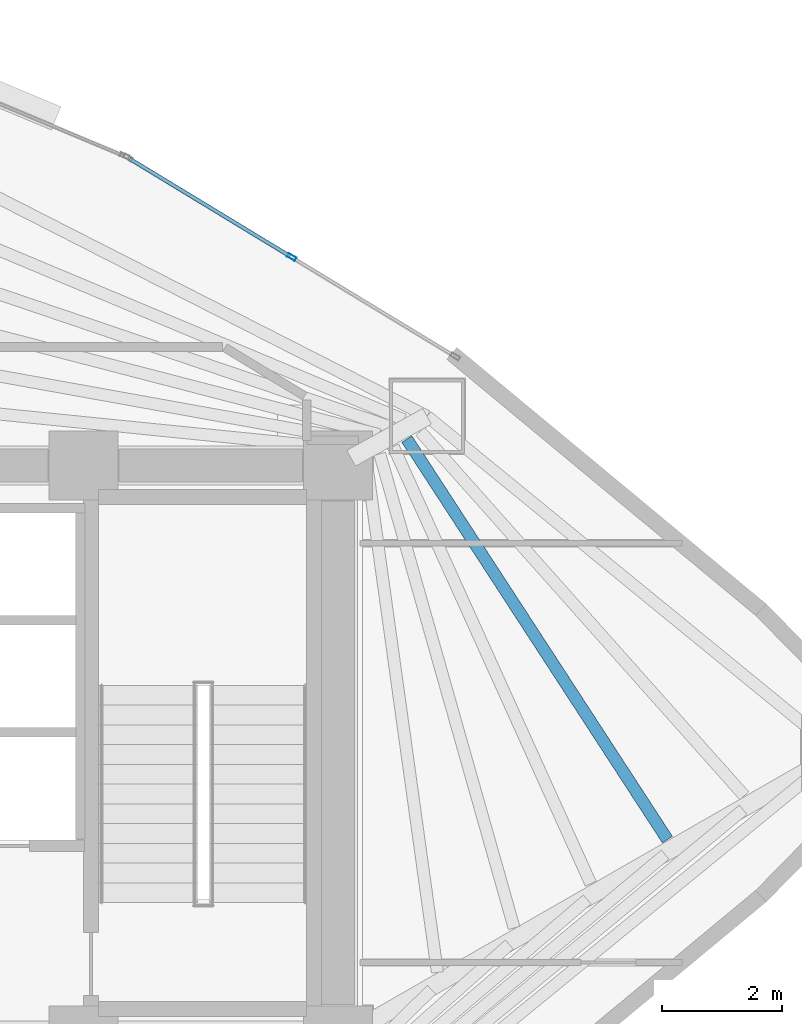
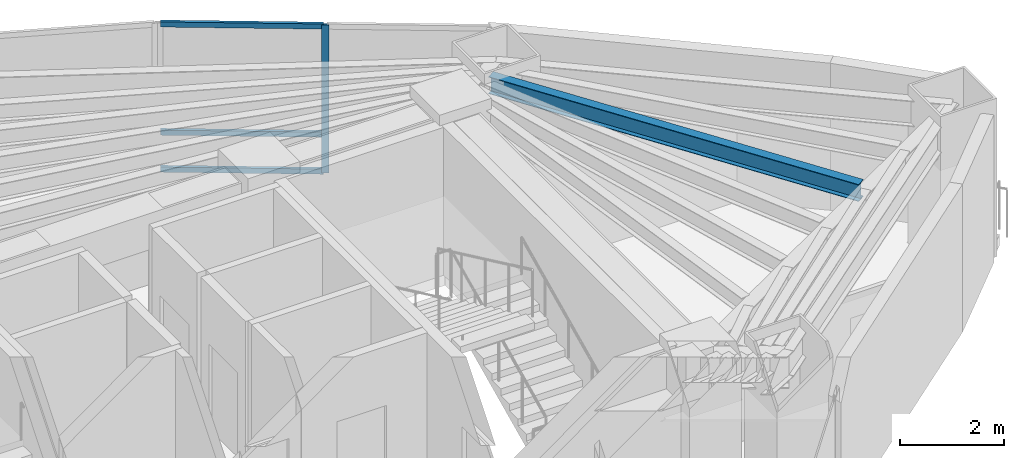
# One storey, part 11 of 18: 4 members, 1 beam, 1 element without a shape of its own.
"""IFC4 building model written with IfcOpenShell, lengths in metres."""

import ifcopenshell
import ifcopenshell.guid

model = None  # the IFC model being written
_history = None  # IfcOwnerHistory: only IFC2X3 demands one
_inside = {}  # id of a spatial element -> (the spatial element, [elements in it])
_under = {}  # id of a project, library or spatial element -> (it, [spatial elements below it])
_declared = {}  # id of a project -> (the project, [libraries it declares])
_typed = {}  # id of a type object -> (the type object, [elements of that type])
_made_of = {}  # id of a material, layer set ... -> (it, [elements and type objects made of it])


def new_model(schema):
    """Start an empty IFC model of exactly this schema.

    Asked for "IFC4X3", IfcOpenShell would pick the latest addendum, in which some entities
    have other attributes; the version numbers below select the first issue.
    IFC2X3 requires an IfcOwnerHistory on every rooted entity: one is made here for all.
    """
    global model, _history
    if schema == "IFC4X3":
        model = ifcopenshell.file(schema_version=(4, 3, 0, 0))
    else:
        model = ifcopenshell.file(schema=schema)
    _inside.clear()
    _under.clear()
    _declared.clear()
    _typed.clear()
    _made_of.clear()
    _history = None
    if model.schema == "IFC2X3":
        org = make("IfcOrganization", Name="unknown")
        user = make(
            "IfcPersonAndOrganization",
            ThePerson=make("IfcPerson", FamilyName="unknown"),
            TheOrganization=org,
        )
        app = make(
            "IfcApplication",
            ApplicationDeveloper=org,
            Version="unknown",
            ApplicationFullName="unknown",
            ApplicationIdentifier="unknown",
        )
        _history = make(
            "IfcOwnerHistory",
            OwningUser=user,
            OwningApplication=app,
            ChangeAction="ADDED",
            CreationDate=0,
        )
    return model


def make(cls, **values):
    """One entity of the class cls with the attributes given. An attribute that is None is left unset."""
    return model.create_entity(
        cls, **{name: value for name, value in values.items() if value is not None}
    )


def rooted(cls, **values):
    """An entity with a GlobalId (a new one), such as an element, a storey or a relation."""
    return make(cls, GlobalId=ifcopenshell.guid.new(), OwnerHistory=_history, **values)


def si_unit(unit_type, name, prefix=None):
    """IfcSIUnit, for example si_unit("LENGTHUNIT", "METRE", prefix="MILLI")."""
    return make("IfcSIUnit", UnitType=unit_type, Prefix=prefix, Name=name)


def assignment(units):
    """IfcUnitAssignment: the units of a project."""
    return None if units is None else make("IfcUnitAssignment", Units=units)


def point(xyz):
    """IfcCartesianPoint."""
    return None if xyz is None else make("IfcCartesianPoint", Coordinates=xyz)


def direction(xyz):
    """IfcDirection."""
    return None if xyz is None else make("IfcDirection", DirectionRatios=xyz)


def frame(location, z_axis=None, x_axis=None):
    """IfcAxis2Placement3D, a coordinate frame: its origin and axes. An axis left out is left unset."""
    return make(
        "IfcAxis2Placement3D",
        Location=point(location),
        Axis=direction(z_axis),
        RefDirection=direction(x_axis),
    )


def frame_2d(location, x_axis=None):
    """IfcAxis2Placement2D, a coordinate frame in the plane: its origin and x axis."""
    return make(
        "IfcAxis2Placement2D", Location=point(location), RefDirection=direction(x_axis)
    )


def origin():
    """The frame at (0, 0, 0) with its axes left unset."""
    return frame((0.0, 0.0, 0.0))


def origin_2d():
    """The frame at (0, 0) in the plane with its x axis left unset."""
    return frame_2d((0.0, 0.0))


def place(relative_to, where):
    """IfcLocalPlacement: puts the frame where relative to a parent placement (None: the world)."""
    return make(
        "IfcLocalPlacement", PlacementRelTo=relative_to, RelativePlacement=where
    )


def context(
    kind, dimensions, precision=None, world=None, true_north=None, identifier=None
):
    """IfcGeometricRepresentationContext, for example the 3D "Model" context."""
    return make(
        "IfcGeometricRepresentationContext",
        ContextIdentifier=identifier,
        ContextType=kind,
        CoordinateSpaceDimension=dimensions,
        Precision=precision,
        WorldCoordinateSystem=world,
        TrueNorth=true_north,
    )


def subcontext(parent, identifier, kind, view, scale=None):
    """IfcGeometricRepresentationSubContext, for example "Body" below "Model"."""
    return make(
        "IfcGeometricRepresentationSubContext",
        ContextIdentifier=identifier,
        ContextType=kind,
        ParentContext=parent,
        TargetScale=scale,
        TargetView=view,
    )


def project(units=None, contexts=None):
    """IfcProject with its units and contexts."""
    return rooted(
        "IfcProject",
        Name="project",
        RepresentationContexts=contexts,
        UnitsInContext=assignment(units),
    )


def spatial(cls, under=None, at=None, **own):
    """A site, building, storey or space (cls), placed at a placement, below another one or the project."""
    s = rooted(cls, ObjectPlacement=at, **own)
    if under is not None:
        _under.setdefault(under.id(), (under, []))[1].append(s)
    return s


def profile(cls, at=None, kind="AREA", **sizes):
    """A parametric profile (cls). Its sizes go by their IFC names, for example OverallWidth=200.0."""
    return make(cls, ProfileType=kind, Position=at, **sizes)


def hollow_rectangle(**sizes):
    """IfcRectangleHollowProfileDef."""
    return profile("IfcRectangleHollowProfileDef", **sizes)


def i_section(**sizes):
    """IfcIShapeProfileDef."""
    return profile("IfcIShapeProfileDef", **sizes)


def extrude(swept, where, along, depth):
    """IfcExtrudedAreaSolid: the profile swept, set in the frame where, extruded along a direction by depth."""
    return make(
        "IfcExtrudedAreaSolid",
        SweptArea=swept,
        Position=where,
        ExtrudedDirection=direction(along),
        Depth=depth,
    )


def shape(context_of_items, identifier, shape_type, items):
    """IfcShapeRepresentation: the items that make up one representation, for example the "Body"."""
    return make(
        "IfcShapeRepresentation",
        ContextOfItems=context_of_items,
        RepresentationIdentifier=identifier,
        RepresentationType=shape_type,
        Items=items,
    )


def material(Name=None, Category=None):
    """IfcMaterial."""
    return make("IfcMaterial", Name=Name, Category=Category)


def layer(
    of_material, thickness, ventilated=None, Name=None, Category=None, Priority=None
):
    """IfcMaterialLayer: one layer of a wall or slab, of a material (None: an air gap)."""
    return make(
        "IfcMaterialLayer",
        Material=of_material,
        LayerThickness=thickness,
        IsVentilated=ventilated,
        Name=Name,
        Category=Category,
        Priority=Priority,
    )


def layer_set(layers, Name=None):
    """IfcMaterialLayerSet."""
    return make("IfcMaterialLayerSet", MaterialLayers=layers, LayerSetName=Name)


def material_profile(
    of_material, cross_section, Name=None, Category=None, Priority=None
):
    """IfcMaterialProfile: a cross section and its material."""
    return make(
        "IfcMaterialProfile",
        Name=Name,
        Material=of_material,
        Profile=cross_section,
        Priority=Priority,
        Category=Category,
    )


def profile_set(profiles, Name=None, composite=None):
    """IfcMaterialProfileSet."""
    return make(
        "IfcMaterialProfileSet",
        Name=Name,
        MaterialProfiles=profiles,
        CompositeProfile=composite,
    )


def made_of(thing, what):
    """Note that an element or type object is made of a material, layer set ...; save() writes the relation."""
    if what is not None:
        _made_of.setdefault(what.id(), (what, []))[1].append(thing)
    return thing


def type_object(cls, material=None, **own):
    """A type object (cls), such as IfcWallType, which elements share."""
    return made_of(rooted(cls, **own), material)


def element(
    cls,
    number,
    at=None,
    inside=None,
    cuts=None,
    type_object=None,
    material=None,
    context=None,
    identifier="Body",
    shape_type=None,
    held_by="IfcProductDefinitionShape",
    body=None,
    shapes=None,
    **own,
):
    """One element of the class cls, such as IfcWall. Its Tag is "e" and its number.

    at: its placement. inside: the storey or other place that contains it. cuts: it is an
    opening in that element (IfcRelVoidsElement). A single representation is given by context,
    identifier, shape_type and body (its items); several are given by shapes. held_by: the class
    of the entity that holds the representations. save() writes the other relations.
    """
    e = rooted(cls, Tag="e%d" % number, ObjectPlacement=at, **own)
    if body is not None:
        shapes = [shape(context, identifier, shape_type, body)]
    if shapes is not None:
        e.Representation = make(held_by, Representations=shapes)
    if inside is not None:
        _inside.setdefault(inside.id(), (inside, []))[1].append(e)
    if cuts is not None:
        rooted(
            "IfcRelVoidsElement", RelatingBuildingElement=cuts, RelatedOpeningElement=e
        )
    if type_object is not None:
        _typed.setdefault(type_object.id(), (type_object, []))[1].append(e)
    return made_of(e, material)


def aggregate(whole, parts):
    """IfcRelAggregates: a whole, such as a stair, and the parts it consists of."""
    return rooted("IfcRelAggregates", RelatingObject=whole, RelatedObjects=parts)


def save(model, path):
    """Write the relations noted so far, then the file.

    IfcRelAggregates (storeys below a building ...), IfcRelContainedInSpatialStructure (elements
    in a storey), IfcRelDefinesByType, IfcRelAssociatesMaterial and IfcRelDeclares: one each for
    every whole, place, type object, material and project.
    """
    for whole, parts in _under.values():
        aggregate(whole, parts)
    for where, things in _inside.values():
        rooted(
            "IfcRelContainedInSpatialStructure",
            RelatedElements=things,
            RelatingStructure=where,
        )
    for kind, things in _typed.values():
        rooted("IfcRelDefinesByType", RelatedObjects=things, RelatingType=kind)
    for what, things in _made_of.values():
        rooted("IfcRelAssociatesMaterial", RelatedObjects=things, RelatingMaterial=what)
    for by, libraries in _declared.values():
        rooted("IfcRelDeclares", RelatingContext=by, RelatedDefinitions=libraries)
    model.write(path)


model = new_model("IFC4")

# Units and contexts
model_context = context("Model", 3, precision=1e-05, world=origin(), true_north=direction((0.0, 1.0)))
body_context = subcontext(model_context, "Body", "Model", "MODEL_VIEW")
ifc_project = project(units=[si_unit("LENGTHUNIT", "METRE"), si_unit("AREAUNIT", "SQUARE_METRE"), si_unit("VOLUMEUNIT", "CUBIC_METRE"), si_unit("PLANEANGLEUNIT", "RADIAN"), si_unit("MASSUNIT", "GRAM", prefix="KILO")], contexts=[model_context])

# Site, building, storey
site_placement = place(None, origin())
site = spatial("IfcSite", under=ifc_project, at=site_placement, CompositionType="ELEMENT")
building_placement = place(site_placement, origin())
building = spatial("IfcBuilding", under=site, at=building_placement, Name="Menara Vayukalpa", CompositionType="ELEMENT")
storey_placement = place(building_placement, frame((0.0, 0.0, 89.10009765625)))
storey = spatial("IfcBuildingStorey", under=building, at=storey_placement, Name="L21", CompositionType="ELEMENT", Elevation=89.10009765625)

# Beam
ifc_material_1 = material(Name="Steel S355", Category="steel")
ifc_material_profile_1 = material_profile(ifc_material_1, i_section(OverallWidth=0.199951171875, OverallDepth=0.39990234375, WebThickness=0.008056640625, FlangeThickness=0.012939453125, at=origin_2d()), Name="WF 400x200x8x13")
ifc_profile_set_1 = profile_set([ifc_material_profile_1], Name="Steel S355")
beam_type = type_object("IfcBeamType", Name="BM-SJ2", PredefinedType="JOIST", material=ifc_profile_set_1)
beam_placement = place(storey_placement, frame((38.89990234375, 20.552734375, 3.27001953125), z_axis=(-0.545359331823, 0.83820236172, 0.0), x_axis=(-0.83820236172, -0.545359331823, 0.0)))
element("IfcBeam", 1, at=beam_placement, inside=storey, type_object=beam_type, Name="L21 Secondary Floor Joist SJ01-4", PredefinedType="JOIST", context=body_context, shape_type="SweptSolid", body=[
    extrude(i_section(OverallWidth=0.199951171875, OverallDepth=0.39990234375, WebThickness=0.008056640625, FlangeThickness=0.012939453125, at=origin_2d()), origin(), (0.0, 0.0, 1.0), 7.979248046875),
])

# Curtain wall, members
ifc_material_2 = material(Name="Anodised Terracotta Aluminium Alloy 6063-T6", Category="masonry")
ifc_layer = layer(ifc_material_2, 0.14990234375)
ifc_layer_set = layer_set([ifc_layer], Name="Anodised Terracotta Aluminium Alloy 6063-T6")
curtain_wall_type = type_object("IfcCurtainWallType", Name="CW-CW3", PredefinedType="USERDEFINED", material=ifc_layer_set)
curtain_wall_placement = place(storey_placement, origin())
curtain_wall = element("IfcCurtainWall", 2, at=curtain_wall_placement, inside=storey, type_object=curtain_wall_type, Name="L21 Mid Rise Terracotta Ribbon Curtain Wall CW3 04", ObjectType="UNITISED", PredefinedType="USERDEFINED")
ifc_material_3 = material(Name="Anodised Terracotta Aluminium Alloy 6063-T6", Category="masonry")
ifc_material_profile_2 = material_profile(ifc_material_3, hollow_rectangle(XDim=0.06494140625, YDim=0.14990234375, WallThickness=0.00341796875, at=origin_2d()), Name="ALU 65x150x3.5")
ifc_profile_set_2 = profile_set([ifc_material_profile_2], Name="Anodised Terracotta Aluminium Alloy 6063-T6")
member_type_1 = type_object("IfcMemberType", Name="CWM-CW3", PredefinedType="MULLION", material=ifc_profile_set_2)
member_1_placement = place(storey_placement, frame((32.6259765625, 30.278564453125, 0.0), z_axis=(0.0, 0.0, 1.0), x_axis=(-0.519182959112, -0.854663123674, 0.0)))
member_1 = element("IfcMember", 3, at=member_1_placement, type_object=member_type_1, Name="CW3 mullion 2", PredefinedType="MULLION", context=body_context, shape_type="SweptSolid", body=[
    extrude(hollow_rectangle(XDim=0.06494140625, YDim=0.14990234375, WallThickness=0.00341796875, at=origin_2d()), origin(), (0.0, 0.0, 1.0), 3.469970703125),
])
ifc_material_4 = material(Name="Anodised Terracotta Aluminium Alloy 6063-T6", Category="masonry")
ifc_material_profile_3 = material_profile(ifc_material_4, hollow_rectangle(XDim=0.06494140625, YDim=0.1201171875, WallThickness=0.00341796875, at=origin_2d()), Name="ALU 65x120x3.5")
ifc_profile_set_3 = profile_set([ifc_material_profile_3], Name="Anodised Terracotta Aluminium Alloy 6063-T6")
member_type_2 = type_object("IfcMemberType", Name="CWT-CW3", PredefinedType="USERDEFINED", material=ifc_profile_set_3)
member_2_placement = place(storey_placement, frame((32.59814453125, 30.29541015625, 0.032470703125), z_axis=(-0.854673871166, 0.519165266506, 0.0), x_axis=(-0.519165266506, -0.854673871166, 0.0)))
member_2 = element("IfcMember", 4, at=member_2_placement, type_object=member_type_2, Name="CW3 transom 2.1", ObjectType="TRANSOM", PredefinedType="USERDEFINED", context=body_context, shape_type="SweptSolid", body=[
    extrude(hollow_rectangle(XDim=0.06494140625, YDim=0.1201171875, WallThickness=0.00341796875, at=origin_2d()), origin(), (0.0, 0.0, 1.0), 3.1318359375),
])
member_3_placement = place(storey_placement, frame((32.59814453125, 30.29541015625, 0.89990234375), z_axis=(-0.854673871166, 0.519165266506, 0.0), x_axis=(-0.519165266506, -0.854673871166, 0.0)))
member_3 = element("IfcMember", 5, at=member_3_placement, type_object=member_type_2, Name="CW3 transom 2.2", ObjectType="TRANSOM", PredefinedType="USERDEFINED", context=body_context, shape_type="SweptSolid", body=[
    extrude(hollow_rectangle(XDim=0.06494140625, YDim=0.1201171875, WallThickness=0.00341796875, at=origin_2d()), origin(), (0.0, 0.0, 1.0), 3.1318359375),
])
member_4_placement = place(storey_placement, frame((32.59814453125, 30.29541015625, 3.4375), z_axis=(-0.854673871166, 0.519165266506, 0.0), x_axis=(-0.519165266506, -0.854673871166, 0.0)))
member_4 = element("IfcMember", 6, at=member_4_placement, type_object=member_type_2, Name="CW3 transom 2.3", ObjectType="TRANSOM", PredefinedType="USERDEFINED", context=body_context, shape_type="SweptSolid", body=[
    extrude(hollow_rectangle(XDim=0.06494140625, YDim=0.1201171875, WallThickness=0.00341796875, at=origin_2d()), origin(), (0.0, 0.0, 1.0), 3.1318359375),
])
aggregate(curtain_wall, [member_1, member_2, member_3, member_4])

save(model, "model.ifc")
